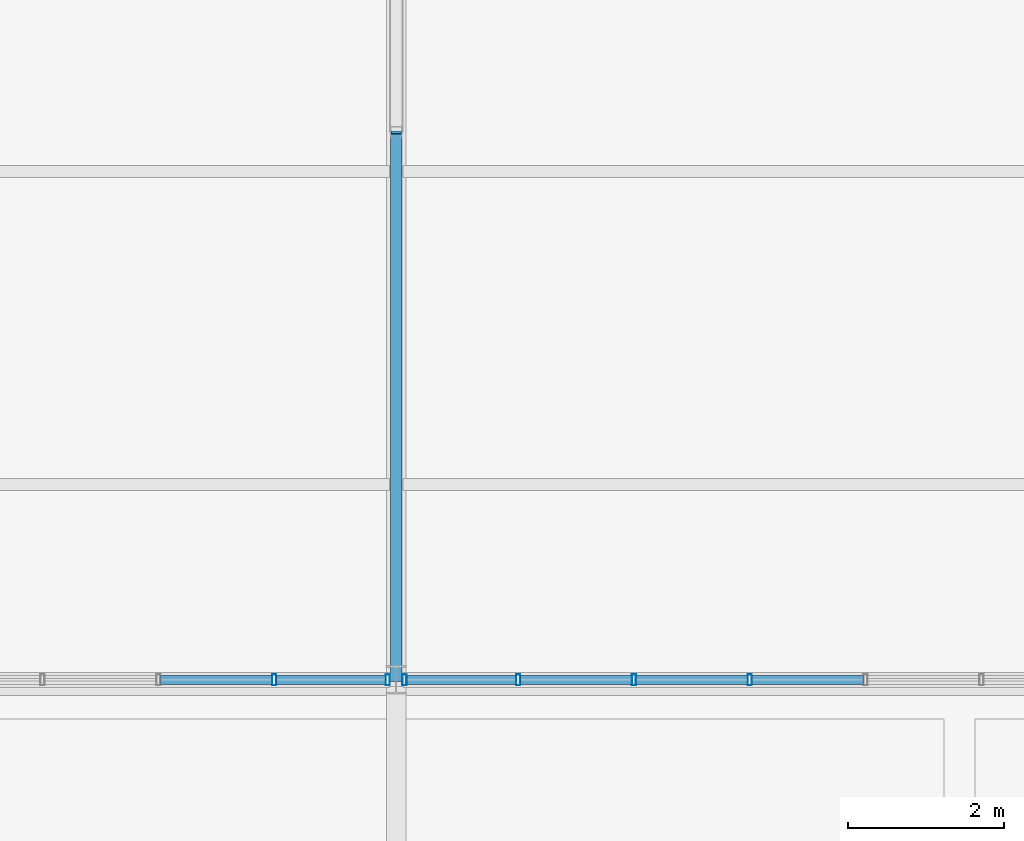
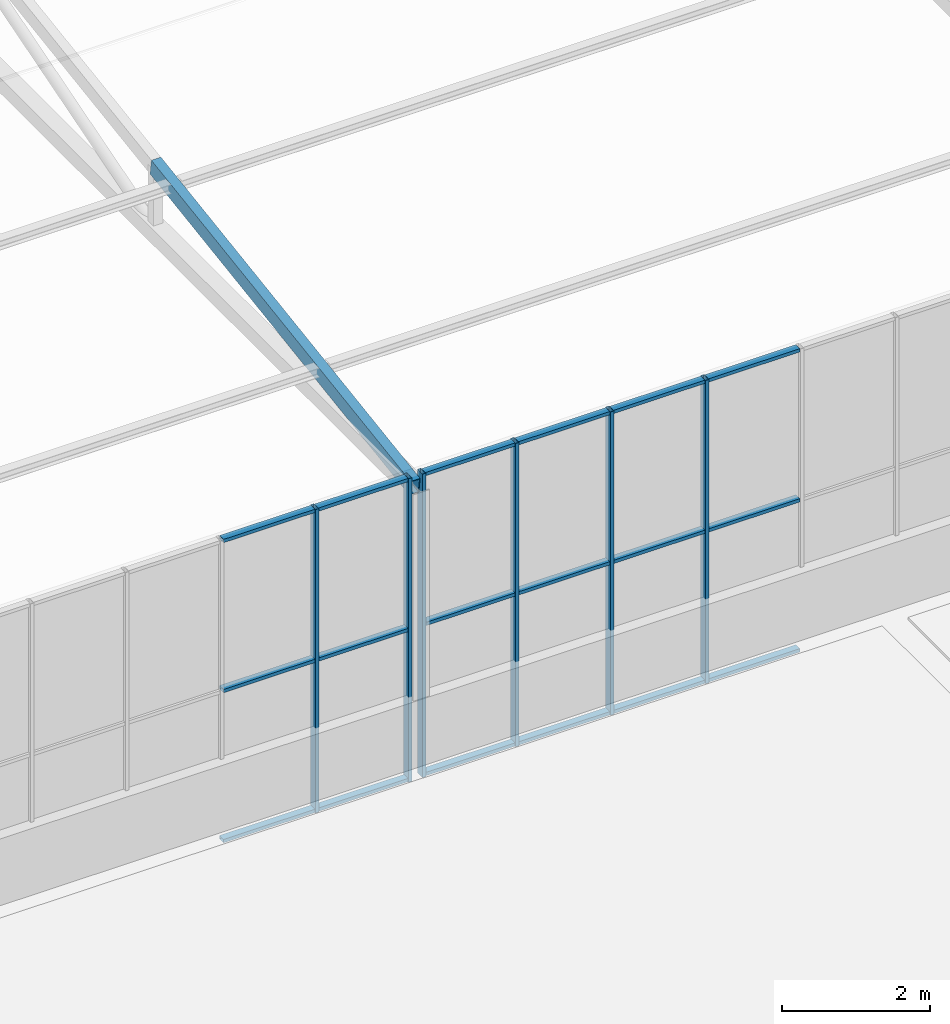
# One storey, part 54 of 104: 25 members, 2 elements without a shape of their own.
"""IFC4 building model written with IfcOpenShell, lengths in metres."""

from ifc_helpers import new_model, si_unit, direction, frame, origin, origin_2d, place, context, subcontext, project, spatial, hollow_rectangle, extrude, material, layer, layer_set, material_profile, profile_set, type_object, element, aggregate, save


model = new_model("IFC4")

# Units and contexts
model_context = context("Model", 3, precision=1e-05, world=origin(), true_north=direction((0.0, 1.0)))
body_context = subcontext(model_context, "Body", "Model", "MODEL_VIEW")
ifc_project = project(units=[si_unit("LENGTHUNIT", "METRE"), si_unit("AREAUNIT", "SQUARE_METRE"), si_unit("VOLUMEUNIT", "CUBIC_METRE"), si_unit("PLANEANGLEUNIT", "RADIAN"), si_unit("MASSUNIT", "GRAM", prefix="KILO")], contexts=[model_context])

# Site, building, storey
site_placement = place(None, origin())
site = spatial("IfcSite", under=ifc_project, at=site_placement, CompositionType="ELEMENT")
building_placement = place(site_placement, origin())
building = spatial("IfcBuilding", under=site, at=building_placement, Name="Solvenia Promenade Tram Depot", CompositionType="ELEMENT")
storey_placement = place(building_placement, frame((0.0, 0.0, 9.0)))
storey = spatial("IfcBuildingStorey", under=building, at=storey_placement, Name="L02", CompositionType="ELEMENT", Elevation=9.0)

# Curtain wall, members
ifc_material_1 = material(Name="Anodized aluminium AW-6063 T6", Category="aluminium")
ifc_layer = layer(ifc_material_1, 0.080078125, Name="Anodized aluminium AW-6063 T6", Category="aluminium")
ifc_layer_set = layer_set([ifc_layer], Name="Anodized aluminium AW-6063 T6")
curtain_wall_type = type_object("IfcCurtainWallType", Name="CW-Clerest-1500", PredefinedType="NOTDEFINED", material=ifc_layer_set)
curtain_wall_1_placement = place(storey_placement, origin())
curtain_wall_1 = element("IfcCurtainWall", 1, at=curtain_wall_1_placement, inside=storey, type_object=curtain_wall_type, Name="Curtain Wall CW-V2S-L2-07", PredefinedType="NOTDEFINED")
ifc_material_profile_1 = material_profile(ifc_material_1, hollow_rectangle(XDim=0.139892578125, YDim=0.054931640625, WallThickness=0.00390625, at=origin_2d()), Name="ALU-M4", Category="aluminium")
ifc_profile_set_1 = profile_set([ifc_material_profile_1], Name="Anodized aluminium AW-6063 T6")
member_type_1 = type_object("IfcMemberType", Name="CWM-Mullion-4", PredefinedType="MULLION", material=ifc_profile_set_1)
member_1_placement = place(storey_placement, frame((160.43994140625, 24.0, -0.300048828125), z_axis=(0.0, 0.0, 1.0), x_axis=(0.0, 1.0, 0.0)))
member_1 = element("IfcMember", 2, at=member_1_placement, type_object=member_type_1, Name="CW-4 mullion 8", PredefinedType="MULLION", context=body_context, shape_type="SweptSolid", body=[
    extrude(hollow_rectangle(XDim=0.139892578125, YDim=0.054931640625, WallThickness=0.00390625, at=origin_2d()), origin(), (0.0, 0.0, 1.0), 5.0),
])
member_2_placement = place(storey_placement, frame((161.892578125, 24.0, -0.300048828125), z_axis=(0.0, 0.0, 1.0), x_axis=(0.0, 1.0, 0.0)))
member_2 = element("IfcMember", 3, at=member_2_placement, type_object=member_type_1, Name="CW-4 mullion 9", PredefinedType="MULLION", context=body_context, shape_type="SweptSolid", body=[
    extrude(hollow_rectangle(XDim=0.139892578125, YDim=0.054931640625, WallThickness=0.00390625, at=origin_2d()), origin(), (0.0, 0.0, 1.0), 5.0),
])

curtain_wall_2_placement = place(storey_placement, origin())
curtain_wall_2 = element("IfcCurtainWall", 4, at=curtain_wall_2_placement, inside=storey, type_object=curtain_wall_type, Name="Curtain Wall CW-V2S-L2-08", PredefinedType="NOTDEFINED")
member_3_placement = place(storey_placement, frame((162.107421875, 24.0, -0.300048828125), z_axis=(0.0, 0.0, 1.0), x_axis=(0.0, 1.0, 0.0)))
member_3 = element("IfcMember", 5, at=member_3_placement, type_object=member_type_1, Name="CW-4 mullion 1", PredefinedType="MULLION", context=body_context, shape_type="SweptSolid", body=[
    extrude(hollow_rectangle(XDim=0.139892578125, YDim=0.054931640625, WallThickness=0.00390625, at=origin_2d()), origin(), (0.0, 0.0, 1.0), 5.0),
])
member_4_placement = place(storey_placement, frame((163.56005859375, 24.0, -0.300048828125), z_axis=(0.0, 0.0, 1.0), x_axis=(0.0, 1.0, 0.0)))
member_4 = element("IfcMember", 6, at=member_4_placement, type_object=member_type_1, Name="CW-4 mullion 2", PredefinedType="MULLION", context=body_context, shape_type="SweptSolid", body=[
    extrude(hollow_rectangle(XDim=0.139892578125, YDim=0.054931640625, WallThickness=0.00390625, at=origin_2d()), origin(), (0.0, 0.0, 1.0), 5.0),
])
member_5_placement = place(storey_placement, frame((165.0400390625, 24.0, -0.300048828125), z_axis=(0.0, 0.0, 1.0), x_axis=(0.0, 1.0, 0.0)))
member_5 = element("IfcMember", 7, at=member_5_placement, type_object=member_type_1, Name="CW-4 mullion 3", PredefinedType="MULLION", context=body_context, shape_type="SweptSolid", body=[
    extrude(hollow_rectangle(XDim=0.139892578125, YDim=0.054931640625, WallThickness=0.00390625, at=origin_2d()), origin(), (0.0, 0.0, 1.0), 5.0),
])
member_6_placement = place(storey_placement, frame((166.52001953125, 24.0, -0.300048828125), z_axis=(0.0, 0.0, 1.0), x_axis=(0.0, 1.0, 0.0)))
member_6 = element("IfcMember", 8, at=member_6_placement, type_object=member_type_1, Name="CW-4 mullion 4", PredefinedType="MULLION", context=body_context, shape_type="SweptSolid", body=[
    extrude(hollow_rectangle(XDim=0.139892578125, YDim=0.054931640625, WallThickness=0.00390625, at=origin_2d()), origin(), (0.0, 0.0, 1.0), 5.0),
])

# Member
ifc_material_profile_2 = material_profile(ifc_material_1, hollow_rectangle(XDim=0.110107421875, YDim=0.054931640625, WallThickness=0.00390625, at=origin_2d()), Name="ALU-T4", Category="aluminium")
ifc_profile_set_2 = profile_set([ifc_material_profile_2], Name="Anodized aluminium AW-6063 T6")
member_type_2 = type_object("IfcMemberType", Name="CWT-Transom-4", PredefinedType="USERDEFINED", material=ifc_profile_set_2)
member_7_placement = place(storey_placement, frame((158.987548828125, 24.0, -0.2724609375), z_axis=(1.0, 0.0, 0.0), x_axis=(0.0, 1.0, 0.0)))
member_7 = element("IfcMember", 9, at=member_7_placement, type_object=member_type_2, Name="CW-4 transom 7.1", ObjectType="TRANSOM", PredefinedType="USERDEFINED", context=body_context, shape_type="SweptSolid", body=[
    extrude(hollow_rectangle(XDim=0.110107421875, YDim=0.054931640625, WallThickness=0.00390625, at=origin_2d()), origin(), (0.0, 0.0, 1.0), 1.425048828125),
])

member_8_placement = place(storey_placement, frame((158.987548828125, 24.0, 2.199951171875), z_axis=(1.0, 0.0, 0.0), x_axis=(0.0, 1.0, 0.0)))
member_8 = element("IfcMember", 10, at=member_8_placement, type_object=member_type_2, Name="CW-4 transom 7.2", ObjectType="TRANSOM", PredefinedType="USERDEFINED", context=body_context, shape_type="SweptSolid", body=[
    extrude(hollow_rectangle(XDim=0.110107421875, YDim=0.054931640625, WallThickness=0.00390625, at=origin_2d()), origin(), (0.0, 0.0, 1.0), 1.425048828125),
])

member_9_placement = place(storey_placement, frame((158.987548828125, 24.0, 4.672607421875), z_axis=(1.0, 0.0, 0.0), x_axis=(0.0, 1.0, 0.0)))
member_9 = element("IfcMember", 11, at=member_9_placement, type_object=member_type_2, Name="CW-4 transom 7.3", ObjectType="TRANSOM", PredefinedType="USERDEFINED", context=body_context, shape_type="SweptSolid", body=[
    extrude(hollow_rectangle(XDim=0.110107421875, YDim=0.054931640625, WallThickness=0.00390625, at=origin_2d()), origin(), (0.0, 0.0, 1.0), 1.425048828125),
])

member_10_placement = place(storey_placement, frame((160.467529296875, 24.0, -0.2724609375), z_axis=(1.0, 0.0, 0.0), x_axis=(0.0, 1.0, 0.0)))
member_10 = element("IfcMember", 12, at=member_10_placement, type_object=member_type_2, Name="CW-4 transom 8.1", ObjectType="TRANSOM", PredefinedType="USERDEFINED", context=body_context, shape_type="SweptSolid", body=[
    extrude(hollow_rectangle(XDim=0.110107421875, YDim=0.054931640625, WallThickness=0.00390625, at=origin_2d()), origin(), (0.0, 0.0, 1.0), 1.3974609375),
])

member_11_placement = place(storey_placement, frame((160.467529296875, 24.0, 2.199951171875), z_axis=(1.0, 0.0, 0.0), x_axis=(0.0, 1.0, 0.0)))
member_11 = element("IfcMember", 13, at=member_11_placement, type_object=member_type_2, Name="CW-4 transom 8.2", ObjectType="TRANSOM", PredefinedType="USERDEFINED", context=body_context, shape_type="SweptSolid", body=[
    extrude(hollow_rectangle(XDim=0.110107421875, YDim=0.054931640625, WallThickness=0.00390625, at=origin_2d()), origin(), (0.0, 0.0, 1.0), 1.3974609375),
])

member_12_placement = place(storey_placement, frame((160.467529296875, 24.0, 4.672607421875), z_axis=(1.0, 0.0, 0.0), x_axis=(0.0, 1.0, 0.0)))
member_12 = element("IfcMember", 14, at=member_12_placement, type_object=member_type_2, Name="CW-4 transom 8.3", ObjectType="TRANSOM", PredefinedType="USERDEFINED", context=body_context, shape_type="SweptSolid", body=[
    extrude(hollow_rectangle(XDim=0.110107421875, YDim=0.054931640625, WallThickness=0.00390625, at=origin_2d()), origin(), (0.0, 0.0, 1.0), 1.3974609375),
])

aggregate(curtain_wall_1, [member_1, member_2, member_7, member_8, member_9, member_10, member_11, member_12])

member_13_placement = place(storey_placement, frame((162.135009765625, 24.0, -0.2724609375), z_axis=(1.0, 0.0, 0.0), x_axis=(0.0, 1.0, 0.0)))
member_13 = element("IfcMember", 15, at=member_13_placement, type_object=member_type_2, Name="CW-4 transom 1.1", ObjectType="TRANSOM", PredefinedType="USERDEFINED", context=body_context, shape_type="SweptSolid", body=[
    extrude(hollow_rectangle(XDim=0.110107421875, YDim=0.054931640625, WallThickness=0.00390625, at=origin_2d()), origin(), (0.0, 0.0, 1.0), 1.3974609375),
])

member_14_placement = place(storey_placement, frame((162.135009765625, 24.0, 2.199951171875), z_axis=(1.0, 0.0, 0.0), x_axis=(0.0, 1.0, 0.0)))
member_14 = element("IfcMember", 16, at=member_14_placement, type_object=member_type_2, Name="CW-4 transom 1.2", ObjectType="TRANSOM", PredefinedType="USERDEFINED", context=body_context, shape_type="SweptSolid", body=[
    extrude(hollow_rectangle(XDim=0.110107421875, YDim=0.054931640625, WallThickness=0.00390625, at=origin_2d()), origin(), (0.0, 0.0, 1.0), 1.3974609375),
])

member_15_placement = place(storey_placement, frame((162.135009765625, 24.0, 4.672607421875), z_axis=(1.0, 0.0, 0.0), x_axis=(0.0, 1.0, 0.0)))
member_15 = element("IfcMember", 17, at=member_15_placement, type_object=member_type_2, Name="CW-4 transom 1.3", ObjectType="TRANSOM", PredefinedType="USERDEFINED", context=body_context, shape_type="SweptSolid", body=[
    extrude(hollow_rectangle(XDim=0.110107421875, YDim=0.054931640625, WallThickness=0.00390625, at=origin_2d()), origin(), (0.0, 0.0, 1.0), 1.3974609375),
])

member_16_placement = place(storey_placement, frame((163.58740234375, 24.0, -0.2724609375), z_axis=(1.0, 0.0, 0.0), x_axis=(0.0, 1.0, 0.0)))
member_16 = element("IfcMember", 18, at=member_16_placement, type_object=member_type_2, Name="CW-4 transom 2.1", ObjectType="TRANSOM", PredefinedType="USERDEFINED", context=body_context, shape_type="SweptSolid", body=[
    extrude(hollow_rectangle(XDim=0.110107421875, YDim=0.054931640625, WallThickness=0.00390625, at=origin_2d()), origin(), (0.0, 0.0, 1.0), 1.425048828125),
])

member_17_placement = place(storey_placement, frame((163.58740234375, 24.0, 2.199951171875), z_axis=(1.0, 0.0, 0.0), x_axis=(0.0, 1.0, 0.0)))
member_17 = element("IfcMember", 19, at=member_17_placement, type_object=member_type_2, Name="CW-4 transom 2.2", ObjectType="TRANSOM", PredefinedType="USERDEFINED", context=body_context, shape_type="SweptSolid", body=[
    extrude(hollow_rectangle(XDim=0.110107421875, YDim=0.054931640625, WallThickness=0.00390625, at=origin_2d()), origin(), (0.0, 0.0, 1.0), 1.425048828125),
])

member_18_placement = place(storey_placement, frame((163.58740234375, 24.0, 4.672607421875), z_axis=(1.0, 0.0, 0.0), x_axis=(0.0, 1.0, 0.0)))
member_18 = element("IfcMember", 20, at=member_18_placement, type_object=member_type_2, Name="CW-4 transom 2.3", ObjectType="TRANSOM", PredefinedType="USERDEFINED", context=body_context, shape_type="SweptSolid", body=[
    extrude(hollow_rectangle(XDim=0.110107421875, YDim=0.054931640625, WallThickness=0.00390625, at=origin_2d()), origin(), (0.0, 0.0, 1.0), 1.425048828125),
])

member_19_placement = place(storey_placement, frame((165.0673828125, 24.0, -0.2724609375), z_axis=(1.0, 0.0, 0.0), x_axis=(0.0, 1.0, 0.0)))
member_19 = element("IfcMember", 21, at=member_19_placement, type_object=member_type_2, Name="CW-4 transom 3.1", ObjectType="TRANSOM", PredefinedType="USERDEFINED", context=body_context, shape_type="SweptSolid", body=[
    extrude(hollow_rectangle(XDim=0.110107421875, YDim=0.054931640625, WallThickness=0.00390625, at=origin_2d()), origin(), (0.0, 0.0, 1.0), 1.425048828125),
])

member_20_placement = place(storey_placement, frame((165.0673828125, 24.0, 2.199951171875), z_axis=(1.0, 0.0, 0.0), x_axis=(0.0, 1.0, 0.0)))
member_20 = element("IfcMember", 22, at=member_20_placement, type_object=member_type_2, Name="CW-4 transom 3.2", ObjectType="TRANSOM", PredefinedType="USERDEFINED", context=body_context, shape_type="SweptSolid", body=[
    extrude(hollow_rectangle(XDim=0.110107421875, YDim=0.054931640625, WallThickness=0.00390625, at=origin_2d()), origin(), (0.0, 0.0, 1.0), 1.425048828125),
])

member_21_placement = place(storey_placement, frame((165.0673828125, 24.0, 4.672607421875), z_axis=(1.0, 0.0, 0.0), x_axis=(0.0, 1.0, 0.0)))
member_21 = element("IfcMember", 23, at=member_21_placement, type_object=member_type_2, Name="CW-4 transom 3.3", ObjectType="TRANSOM", PredefinedType="USERDEFINED", context=body_context, shape_type="SweptSolid", body=[
    extrude(hollow_rectangle(XDim=0.110107421875, YDim=0.054931640625, WallThickness=0.00390625, at=origin_2d()), origin(), (0.0, 0.0, 1.0), 1.425048828125),
])

member_22_placement = place(storey_placement, frame((166.547607421875, 24.0, -0.2724609375), z_axis=(1.0, 0.0, 0.0), x_axis=(0.0, 1.0, 0.0)))
member_22 = element("IfcMember", 24, at=member_22_placement, type_object=member_type_2, Name="CW-4 transom 4.1", ObjectType="TRANSOM", PredefinedType="USERDEFINED", context=body_context, shape_type="SweptSolid", body=[
    extrude(hollow_rectangle(XDim=0.110107421875, YDim=0.054931640625, WallThickness=0.00390625, at=origin_2d()), origin(), (0.0, 0.0, 1.0), 1.4248046875),
])

member_23_placement = place(storey_placement, frame((166.547607421875, 24.0, 2.199951171875), z_axis=(1.0, 0.0, 0.0), x_axis=(0.0, 1.0, 0.0)))
member_23 = element("IfcMember", 25, at=member_23_placement, type_object=member_type_2, Name="CW-4 transom 4.2", ObjectType="TRANSOM", PredefinedType="USERDEFINED", context=body_context, shape_type="SweptSolid", body=[
    extrude(hollow_rectangle(XDim=0.110107421875, YDim=0.054931640625, WallThickness=0.00390625, at=origin_2d()), origin(), (0.0, 0.0, 1.0), 1.4248046875),
])

member_24_placement = place(storey_placement, frame((166.547607421875, 24.0, 4.672607421875), z_axis=(1.0, 0.0, 0.0), x_axis=(0.0, 1.0, 0.0)))
member_24 = element("IfcMember", 26, at=member_24_placement, type_object=member_type_2, Name="CW-4 transom 4.3", ObjectType="TRANSOM", PredefinedType="USERDEFINED", context=body_context, shape_type="SweptSolid", body=[
    extrude(hollow_rectangle(XDim=0.110107421875, YDim=0.054931640625, WallThickness=0.00390625, at=origin_2d()), origin(), (0.0, 0.0, 1.0), 1.4248046875),
])

aggregate(curtain_wall_2, [member_3, member_4, member_5, member_6, member_13, member_14, member_15, member_16, member_17, member_18, member_19, member_20, member_21, member_22, member_23, member_24])

ifc_material_2 = material(Name="Structural steel ASTM A500 Gr. C", Category="steel")
ifc_material_profile_3 = material_profile(ifc_material_2, hollow_rectangle(XDim=0.14990234375, YDim=0.25, WallThickness=0.010009765625, at=origin_2d()), Name="HSS250x150x10", Category="steel")
ifc_profile_set_3 = profile_set([ifc_material_profile_3], Name="Structural steel ASTM A500 Gr. C")
member_type_3 = type_object("IfcMemberType", Name="Chord-HSS250x150x10", PredefinedType="CHORD", material=ifc_profile_set_3)
member_25_placement = place(storey_placement, frame((162.0, 24.0, 4.47998046875), z_axis=(0.0, 0.988935340875, 0.148347199397), x_axis=(-1.0, 0.0, 0.0)))
element("IfcMember", 27, at=member_25_placement, inside=storey, type_object=member_type_3, Name="Crane Hall Clerestory Rafter 08S", PredefinedType="CHORD", context=body_context, shape_type="SweptSolid", body=[
    extrude(hollow_rectangle(XDim=0.14990234375, YDim=0.25, WallThickness=0.010009765625, at=origin_2d()), origin(), (0.0, 0.0, 1.0), 7.078369140625),
])

save(model, "model.ifc")
